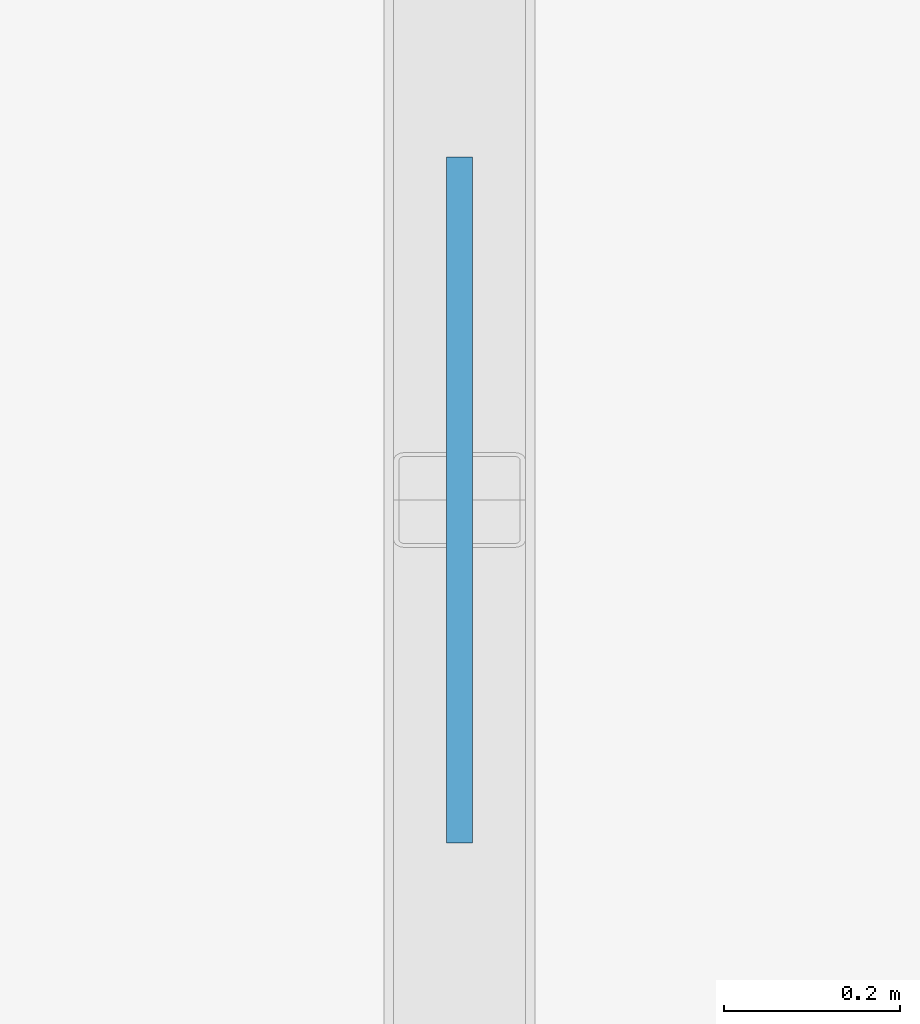
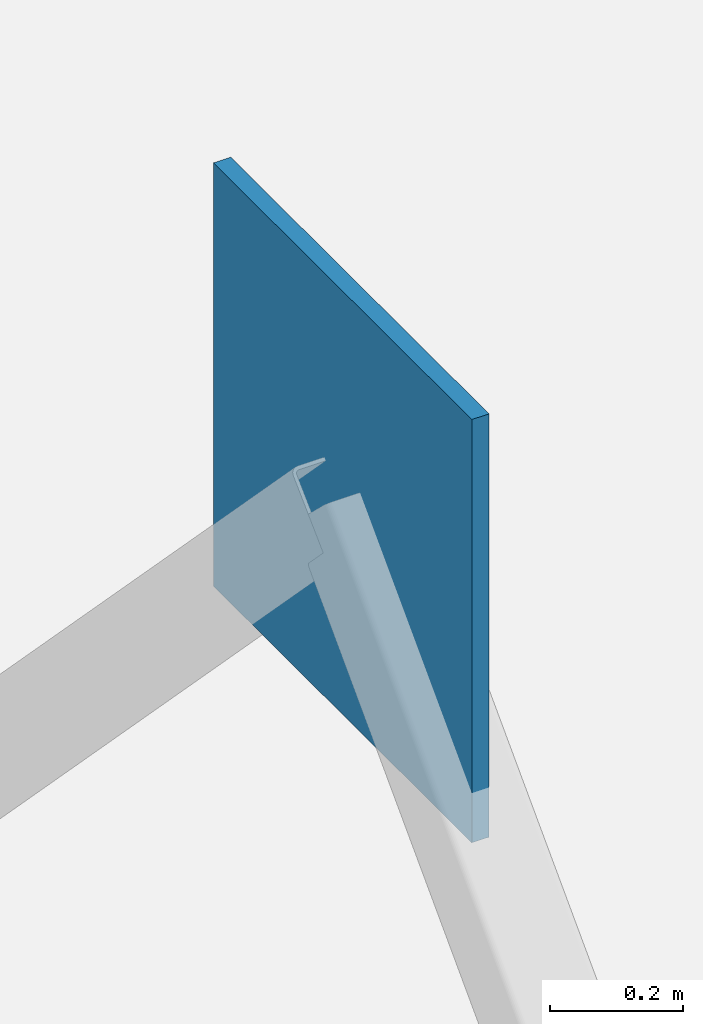
# One storey, part 76 of 103: 1 plate.
"""IFC4 building model written with IfcOpenShell, lengths in metres."""

from ifc_helpers import new_model, si_unit, direction, frame, origin, origin_2d, place, context, subcontext, project, spatial, rectangle, extrude, material, layer, layer_set, type_object, element, save


model = new_model("IFC4")

# Units and contexts
model_context = context("Model", 3, precision=1e-05, world=origin(), true_north=direction((0.0, 1.0)))
body_context = subcontext(model_context, "Body", "Model", "MODEL_VIEW")
ifc_project = project(units=[si_unit("LENGTHUNIT", "METRE"), si_unit("AREAUNIT", "SQUARE_METRE"), si_unit("VOLUMEUNIT", "CUBIC_METRE"), si_unit("PLANEANGLEUNIT", "RADIAN"), si_unit("MASSUNIT", "GRAM", prefix="KILO")], contexts=[model_context])

# Site, building, storey
site_placement = place(None, origin())
site = spatial("IfcSite", under=ifc_project, at=site_placement, CompositionType="ELEMENT")
building_placement = place(site_placement, origin())
building = spatial("IfcBuilding", under=site, at=building_placement, Name="Marnock Terrace Opera House", CompositionType="ELEMENT")
storey_placement = place(building_placement, origin())
storey = spatial("IfcBuildingStorey", under=building, at=storey_placement, Name="L00", CompositionType="ELEMENT", Elevation=0.0)

# Plate
ifc_material = material(Name="Steel Grade 350 (AS/NZS 3679.1)", Category="steel")
ifc_layer = layer(ifc_material, 0.030029296875)
ifc_layer_set = layer_set([ifc_layer], Name="Steel Grade 350 (AS/NZS 3679.1)")
plate_type = type_object("IfcPlateType", Name="PLT-GUSSET-30", PredefinedType="SHEET", material=ifc_layer_set)
plate_placement = place(storey_placement, frame((164.0, 89.25, 4.3701171875), z_axis=(0.0, 0.0, 1.0), x_axis=(0.0, 1.0, 0.0)))
element("IfcPlate", 1, at=plate_placement, inside=storey, type_object=plate_type, Name="L00 chevron brace gusset plate BN-6", PredefinedType="SHEET", context=body_context, shape_type="SweptSolid", body=[
    extrude(rectangle(XDim=0.780029296875, YDim=0.030029296875, at=origin_2d()), origin(), (0.0, 0.0, 1.0), 0.780029296875),
])

save(model, "model.ifc")
